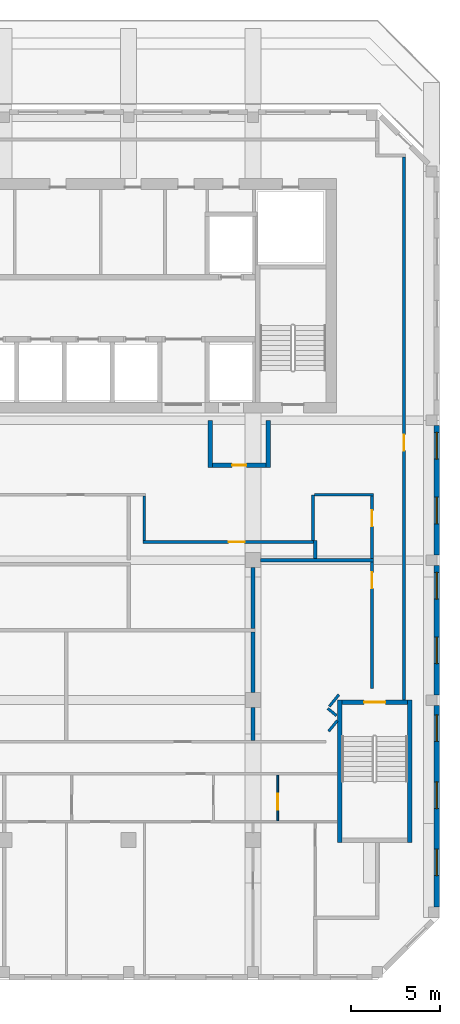
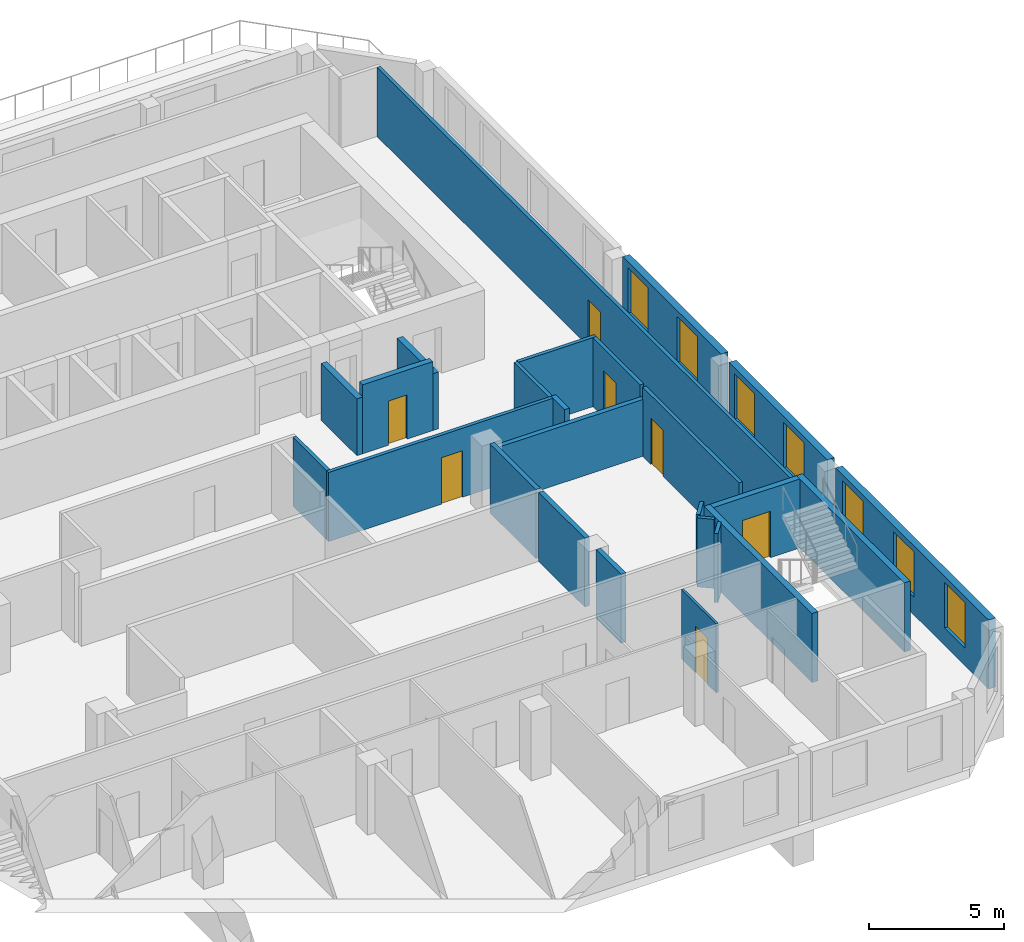
# One storey, part 5 of 12: 25 walls, 7 doors, 7 windows, 14 openings.
"""IFC4 building model written with IfcOpenShell, lengths in metres."""

import ifcopenshell
import ifcopenshell.guid

model = None  # the IFC model being written
_history = None  # IfcOwnerHistory: only IFC2X3 demands one
_inside = {}  # id of a spatial element -> (the spatial element, [elements in it])
_under = {}  # id of a project, library or spatial element -> (it, [spatial elements below it])
_declared = {}  # id of a project -> (the project, [libraries it declares])
_typed = {}  # id of a type object -> (the type object, [elements of that type])
_made_of = {}  # id of a material, layer set ... -> (it, [elements and type objects made of it])


def new_model(schema):
    """Start an empty IFC model of exactly this schema.

    Asked for "IFC4X3", IfcOpenShell would pick the latest addendum, in which some entities
    have other attributes; the version numbers below select the first issue.
    IFC2X3 requires an IfcOwnerHistory on every rooted entity: one is made here for all.
    """
    global model, _history
    if schema == "IFC4X3":
        model = ifcopenshell.file(schema_version=(4, 3, 0, 0))
    else:
        model = ifcopenshell.file(schema=schema)
    _inside.clear()
    _under.clear()
    _declared.clear()
    _typed.clear()
    _made_of.clear()
    _history = None
    if model.schema == "IFC2X3":
        org = make("IfcOrganization", Name="unknown")
        user = make(
            "IfcPersonAndOrganization",
            ThePerson=make("IfcPerson", FamilyName="unknown"),
            TheOrganization=org,
        )
        app = make(
            "IfcApplication",
            ApplicationDeveloper=org,
            Version="unknown",
            ApplicationFullName="unknown",
            ApplicationIdentifier="unknown",
        )
        _history = make(
            "IfcOwnerHistory",
            OwningUser=user,
            OwningApplication=app,
            ChangeAction="ADDED",
            CreationDate=0,
        )
    return model


def make(cls, **values):
    """One entity of the class cls with the attributes given. An attribute that is None is left unset."""
    return model.create_entity(
        cls, **{name: value for name, value in values.items() if value is not None}
    )


def rooted(cls, **values):
    """An entity with a GlobalId (a new one), such as an element, a storey or a relation."""
    return make(cls, GlobalId=ifcopenshell.guid.new(), OwnerHistory=_history, **values)


def si_unit(unit_type, name, prefix=None):
    """IfcSIUnit, for example si_unit("LENGTHUNIT", "METRE", prefix="MILLI")."""
    return make("IfcSIUnit", UnitType=unit_type, Prefix=prefix, Name=name)


def assignment(units):
    """IfcUnitAssignment: the units of a project."""
    return None if units is None else make("IfcUnitAssignment", Units=units)


def point(xyz):
    """IfcCartesianPoint."""
    return None if xyz is None else make("IfcCartesianPoint", Coordinates=xyz)


def direction(xyz):
    """IfcDirection."""
    return None if xyz is None else make("IfcDirection", DirectionRatios=xyz)


def frame(location, z_axis=None, x_axis=None):
    """IfcAxis2Placement3D, a coordinate frame: its origin and axes. An axis left out is left unset."""
    return make(
        "IfcAxis2Placement3D",
        Location=point(location),
        Axis=direction(z_axis),
        RefDirection=direction(x_axis),
    )


def frame_2d(location, x_axis=None):
    """IfcAxis2Placement2D, a coordinate frame in the plane: its origin and x axis."""
    return make(
        "IfcAxis2Placement2D", Location=point(location), RefDirection=direction(x_axis)
    )


def origin():
    """The frame at (0, 0, 0) with its axes left unset."""
    return frame((0.0, 0.0, 0.0))


def place(relative_to, where):
    """IfcLocalPlacement: puts the frame where relative to a parent placement (None: the world)."""
    return make(
        "IfcLocalPlacement", PlacementRelTo=relative_to, RelativePlacement=where
    )


def context(
    kind, dimensions, precision=None, world=None, true_north=None, identifier=None
):
    """IfcGeometricRepresentationContext, for example the 3D "Model" context."""
    return make(
        "IfcGeometricRepresentationContext",
        ContextIdentifier=identifier,
        ContextType=kind,
        CoordinateSpaceDimension=dimensions,
        Precision=precision,
        WorldCoordinateSystem=world,
        TrueNorth=true_north,
    )


def subcontext(parent, identifier, kind, view, scale=None):
    """IfcGeometricRepresentationSubContext, for example "Body" below "Model"."""
    return make(
        "IfcGeometricRepresentationSubContext",
        ContextIdentifier=identifier,
        ContextType=kind,
        ParentContext=parent,
        TargetScale=scale,
        TargetView=view,
    )


def project(units=None, contexts=None):
    """IfcProject with its units and contexts."""
    return rooted(
        "IfcProject",
        Name="project",
        RepresentationContexts=contexts,
        UnitsInContext=assignment(units),
    )


def spatial(cls, under=None, at=None, **own):
    """A site, building, storey or space (cls), placed at a placement, below another one or the project."""
    s = rooted(cls, ObjectPlacement=at, **own)
    if under is not None:
        _under.setdefault(under.id(), (under, []))[1].append(s)
    return s


def profile(cls, at=None, kind="AREA", **sizes):
    """A parametric profile (cls). Its sizes go by their IFC names, for example OverallWidth=200.0."""
    return make(cls, ProfileType=kind, Position=at, **sizes)


def rectangle(**sizes):
    """IfcRectangleProfileDef."""
    return profile("IfcRectangleProfileDef", **sizes)


def extrude(swept, where, along, depth):
    """IfcExtrudedAreaSolid: the profile swept, set in the frame where, extruded along a direction by depth."""
    return make(
        "IfcExtrudedAreaSolid",
        SweptArea=swept,
        Position=where,
        ExtrudedDirection=direction(along),
        Depth=depth,
    )


def shape(context_of_items, identifier, shape_type, items):
    """IfcShapeRepresentation: the items that make up one representation, for example the "Body"."""
    return make(
        "IfcShapeRepresentation",
        ContextOfItems=context_of_items,
        RepresentationIdentifier=identifier,
        RepresentationType=shape_type,
        Items=items,
    )


def source(mapping_origin, context_of_items, identifier, shape_type, items):
    """IfcRepresentationMap: a shape defined once, which mapped items show again and again."""
    return make(
        "IfcRepresentationMap",
        MappingOrigin=mapping_origin,
        MappedRepresentation=shape(context_of_items, identifier, shape_type, items),
    )


def transform(
    local_origin,
    x_axis=None,
    y_axis=None,
    z_axis=None,
    scale=None,
    scale2=None,
    scale3=None,
    uniform=True,
):
    """IfcCartesianTransformationOperator3D, or its non-uniform kind. x_axis, y_axis, z_axis: its Axis1, 2, 3."""
    if uniform:
        return make(
            "IfcCartesianTransformationOperator3D",
            Axis1=direction(x_axis),
            Axis2=direction(y_axis),
            LocalOrigin=point(local_origin),
            Scale=scale,
            Axis3=direction(z_axis),
        )
    return make(
        "IfcCartesianTransformationOperator3DnonUniform",
        Axis1=direction(x_axis),
        Axis2=direction(y_axis),
        LocalOrigin=point(local_origin),
        Scale=scale,
        Axis3=direction(z_axis),
        Scale2=scale2,
        Scale3=scale3,
    )


def mapped(mapping_source, mapping_target):
    """IfcMappedItem: shows the shape of a source again, moved by a transform."""
    return make(
        "IfcMappedItem", MappingSource=mapping_source, MappingTarget=mapping_target
    )


def material(Name=None, Category=None):
    """IfcMaterial."""
    return make("IfcMaterial", Name=Name, Category=Category)


def layer(
    of_material, thickness, ventilated=None, Name=None, Category=None, Priority=None
):
    """IfcMaterialLayer: one layer of a wall or slab, of a material (None: an air gap)."""
    return make(
        "IfcMaterialLayer",
        Material=of_material,
        LayerThickness=thickness,
        IsVentilated=ventilated,
        Name=Name,
        Category=Category,
        Priority=Priority,
    )


def layer_set(layers, Name=None):
    """IfcMaterialLayerSet."""
    return make("IfcMaterialLayerSet", MaterialLayers=layers, LayerSetName=Name)


def made_of(thing, what):
    """Note that an element or type object is made of a material, layer set ...; save() writes the relation."""
    if what is not None:
        _made_of.setdefault(what.id(), (what, []))[1].append(thing)
    return thing


def type_object(cls, material=None, **own):
    """A type object (cls), such as IfcWallType, which elements share."""
    return made_of(rooted(cls, **own), material)


def element(
    cls,
    number,
    at=None,
    inside=None,
    cuts=None,
    type_object=None,
    material=None,
    context=None,
    identifier="Body",
    shape_type=None,
    held_by="IfcProductDefinitionShape",
    body=None,
    shapes=None,
    **own,
):
    """One element of the class cls, such as IfcWall. Its Tag is "e" and its number.

    at: its placement. inside: the storey or other place that contains it. cuts: it is an
    opening in that element (IfcRelVoidsElement). A single representation is given by context,
    identifier, shape_type and body (its items); several are given by shapes. held_by: the class
    of the entity that holds the representations. save() writes the other relations.
    """
    e = rooted(cls, Tag="e%d" % number, ObjectPlacement=at, **own)
    if body is not None:
        shapes = [shape(context, identifier, shape_type, body)]
    if shapes is not None:
        e.Representation = make(held_by, Representations=shapes)
    if inside is not None:
        _inside.setdefault(inside.id(), (inside, []))[1].append(e)
    if cuts is not None:
        rooted(
            "IfcRelVoidsElement", RelatingBuildingElement=cuts, RelatedOpeningElement=e
        )
    if type_object is not None:
        _typed.setdefault(type_object.id(), (type_object, []))[1].append(e)
    return made_of(e, material)


def fill(opening, filler):
    """IfcRelFillsElement: the door or window that sits in an opening."""
    return rooted(
        "IfcRelFillsElement",
        RelatingOpeningElement=opening,
        RelatedBuildingElement=filler,
    )


def aggregate(whole, parts):
    """IfcRelAggregates: a whole, such as a stair, and the parts it consists of."""
    return rooted("IfcRelAggregates", RelatingObject=whole, RelatedObjects=parts)


def save(model, path):
    """Write the relations noted so far, then the file.

    IfcRelAggregates (storeys below a building ...), IfcRelContainedInSpatialStructure (elements
    in a storey), IfcRelDefinesByType, IfcRelAssociatesMaterial and IfcRelDeclares: one each for
    every whole, place, type object, material and project.
    """
    for whole, parts in _under.values():
        aggregate(whole, parts)
    for where, things in _inside.values():
        rooted(
            "IfcRelContainedInSpatialStructure",
            RelatedElements=things,
            RelatingStructure=where,
        )
    for kind, things in _typed.values():
        rooted("IfcRelDefinesByType", RelatedObjects=things, RelatingType=kind)
    for what, things in _made_of.values():
        rooted("IfcRelAssociatesMaterial", RelatedObjects=things, RelatingMaterial=what)
    for by, libraries in _declared.values():
        rooted("IfcRelDeclares", RelatingContext=by, RelatedDefinitions=libraries)
    model.write(path)


model = new_model("IFC4")

# Units and contexts
model_context = context("Model", 3, precision=1e-05, world=origin(), true_north=direction((0.0, 1.0)))
body_context = subcontext(model_context, "Body", "Model", "MODEL_VIEW")
ifc_project = project(units=[si_unit("LENGTHUNIT", "METRE"), si_unit("AREAUNIT", "SQUARE_METRE"), si_unit("VOLUMEUNIT", "CUBIC_METRE"), si_unit("PLANEANGLEUNIT", "RADIAN"), si_unit("MASSUNIT", "GRAM", prefix="KILO")], contexts=[model_context])

# Site, building, storey
site_placement = place(None, origin())
site = spatial("IfcSite", under=ifc_project, at=site_placement, CompositionType="ELEMENT")
building_placement = place(site_placement, origin())
building = spatial("IfcBuilding", under=site, at=building_placement, Name="Kilnfold Tower and Market Hall", CompositionType="ELEMENT")
storey_placement = place(building_placement, frame((0.0, 0.0, 295.0)))
storey = spatial("IfcBuildingStorey", under=building, at=storey_placement, Name="L73", CompositionType="ELEMENT", Elevation=295.0)

# Wall, opening, door
ifc_material_1 = material(Name="Gypsum board on steel studs", Category="steel")
ifc_layer_1 = layer(ifc_material_1, 0.14990234375)
ifc_layer_set_1 = layer_set([ifc_layer_1], Name="Gypsum board on steel studs")
wall_type_1 = type_object("IfcWallType", Name="WALL CORRIDOR 150", PredefinedType="PARTITIONING", material=ifc_layer_set_1)
wall_1_placement = place(storey_placement, frame((21.5, -7.75, 0.0), z_axis=(0.0, 0.0, 1.0), x_axis=(0.0, 1.0, 0.0)))
wall_1 = element("IfcWall", 1, at=wall_1_placement, inside=storey, type_object=wall_type_1, Name="Partition LY45.6", PredefinedType="PARTITIONING", context=body_context, shape_type="SweptSolid", body=[
    extrude(rectangle(XDim=30.574951171875, YDim=0.14990234375, at=frame_2d((15.28759765625, 0.0))), origin(), (0.0, 0.0, 1.0), 3.1201171875),
])
opening_1_placement = place(wall_1_placement, frame((14.034912109375, 0.0, 0.0)))
opening_1 = element("IfcOpeningElement", 2, at=opening_1_placement, cuts=wall_1, Name="Opening D2", PredefinedType="OPENING", context=body_context, shape_type="SweptSolid", body=[
    extrude(rectangle(XDim=0.89990234375, YDim=2.10009765625, at=frame_2d((0.449951171875, 1.050048828125))), frame((0.0, 0.0849609375, 0.0), z_axis=(0.0, -1.0, 0.0), x_axis=(1.0, 0.0, 0.0)), (0.0, 0.0, 1.0), 0.169921875),
])
ifc_material_2 = material(Name="Timber veneer door leaf in steel frame", Category="steel")
door_type_1 = type_object("IfcDoorType", Name="DOOR ROOM 900 X2100", OperationType="NOTDEFINED", PredefinedType="DOOR", material=ifc_material_2)
door_1_placement = place(opening_1_placement, origin())
door_1 = element("IfcDoor", 3, at=door_1_placement, inside=storey, type_object=door_type_1, Name="Door D2", OperationType="SINGLE_SWING_LEFT", OverallHeight=2.10009765625, OverallWidth=0.89990234375, PredefinedType="DOOR", context=body_context, shape_type="SweptSolid", body=[
    extrude(rectangle(XDim=0.89990234375, YDim=2.10009765625, at=frame_2d((0.449951171875, 1.050048828125))), frame((0.0, 0.02490234375, 0.0), z_axis=(0.0, -1.0, 0.0), x_axis=(1.0, 0.0, 0.0)), (0.0, 0.0, 1.0), 0.050048828125),
])
fill(opening_1, door_1)

# Wall
wall_2_placement = place(storey_placement, frame((16.3798828125, 1.22509765625, 0.0), z_axis=(0.0, 0.0, 1.0), x_axis=(0.0, 1.0, 0.0)))
element("IfcWall", 4, at=wall_2_placement, inside=storey, type_object=wall_type_1, Name="Partition LY45.14", PredefinedType="PARTITIONING", context=body_context, shape_type="SweptSolid", body=[
    extrude(rectangle(XDim=2.574951171875, YDim=0.14990234375, at=frame_2d((1.28759765625, 0.0))), origin(), (0.0, 0.0, 1.0), 3.1201171875),
])

# Wall, opening, door
wall_3_placement = place(storey_placement, frame((6.804931640625, 1.14990234375, 0.0), z_axis=(0.0, 0.0, 1.0), x_axis=(1.0, 0.0, 0.0)))
wall_3 = element("IfcWall", 5, at=wall_3_placement, inside=storey, type_object=wall_type_1, Name="Partition LY45.15", PredefinedType="PARTITIONING", context=body_context, shape_type="SweptSolid", body=[
    extrude(rectangle(XDim=9.594970703125, YDim=0.14990234375, at=frame_2d((4.79736328125, 0.0))), origin(), (0.0, 0.0, 1.0), 3.1201171875),
])
opening_2_placement = place(wall_3_placement, frame((4.827880859375, 0.0, 0.0)))
opening_2 = element("IfcOpeningElement", 6, at=opening_2_placement, cuts=wall_3, Name="Opening D2", PredefinedType="OPENING", context=body_context, shape_type="SweptSolid", body=[
    extrude(rectangle(XDim=0.89990234375, YDim=2.10009765625, at=frame_2d((0.449951171875, 1.050048828125))), frame((0.0, 0.0849609375, 0.0), z_axis=(0.0, -1.0, 0.0), x_axis=(1.0, 0.0, 0.0)), (0.0, 0.0, 1.0), 0.169921875),
])
door_2_placement = place(opening_2_placement, origin())
door_2 = element("IfcDoor", 7, at=door_2_placement, inside=storey, type_object=door_type_1, Name="Door D2", OperationType="SINGLE_SWING_LEFT", OverallHeight=2.10009765625, OverallWidth=0.89990234375, PredefinedType="DOOR", context=body_context, shape_type="SweptSolid", body=[
    extrude(rectangle(XDim=0.89990234375, YDim=2.10009765625, at=frame_2d((0.449951171875, 1.050048828125))), frame((0.0, 0.02490234375, 0.0), z_axis=(0.0, -1.0, 0.0), x_axis=(1.0, 0.0, 0.0)), (0.0, 0.0, 1.0), 0.050048828125),
])
fill(opening_2, door_2)

# Walls
wall_4_placement = place(storey_placement, frame((6.8798828125, 3.72509765625, 0.0), z_axis=(0.0, 0.0, 1.0), x_axis=(0.0, -1.0, 0.0)))
element("IfcWall", 8, at=wall_4_placement, inside=storey, type_object=wall_type_1, Name="Partition LY45.16", PredefinedType="PARTITIONING", context=body_context, shape_type="SweptSolid", body=[
    extrude(rectangle(XDim=2.5, YDim=0.14990234375, at=frame_2d((1.25, 0.0))), origin(), (0.0, 0.0, 1.0), 3.1201171875),
])
wall_5_placement = place(storey_placement, frame((17.748046875, -8.902099609375, 0.0), z_axis=(0.0, 0.0, 1.0), x_axis=(-0.630342797145, -0.776316918589, 0.0)))
element("IfcWall", 9, at=wall_5_placement, inside=storey, type_object=wall_type_1, Name="Partition LY45.17", PredefinedType="PARTITIONING", context=body_context, shape_type="SweptSolid", body=[
    extrude(rectangle(XDim=0.772705078125, YDim=0.14990234375, at=frame_2d((0.38623046875, 0.0))), origin(), (0.0, 0.0, 1.0), 3.1201171875),
])
wall_6_placement = place(storey_placement, frame((17.2060546875, -8.218017578125, 0.0), z_axis=(0.0, 0.0, 1.0), x_axis=(0.776102288291, -0.630607039376, 0.0)))
element("IfcWall", 10, at=wall_6_placement, inside=storey, type_object=wall_type_1, Name="Partition LY45.18", PredefinedType="PARTITIONING", context=body_context, shape_type="SweptSolid", body=[
    extrude(rectangle(XDim=0.6376953125, YDim=0.14990234375, at=frame_2d((0.31884765625, 0.0))), origin(), (0.0, 0.0, 1.0), 3.1201171875),
])
wall_7_placement = place(storey_placement, frame((17.8349609375, -7.44189453125, 0.0), z_axis=(0.0, 0.0, 1.0), x_axis=(-0.628859024249, -0.777519342281, 0.0)))
element("IfcWall", 11, at=wall_7_placement, inside=storey, type_object=wall_type_1, Name="Partition LY45.19", PredefinedType="PARTITIONING", context=body_context, shape_type="SweptSolid", body=[
    extrude(rectangle(XDim=0.84912109375, YDim=0.14990234375, at=frame_2d((0.424560546875, 0.0))), origin(), (0.0, 0.0, 1.0), 3.1201171875),
])

# Wall, opening, door
wall_8_placement = place(storey_placement, frame((19.699951171875, -7.10009765625, 0.0), z_axis=(0.0, 0.0, 1.0), x_axis=(0.0, 1.0, 0.0)))
wall_8 = element("IfcWall", 12, at=wall_8_placement, inside=storey, type_object=wall_type_1, Name="Partition LY45.20", PredefinedType="PARTITIONING", context=body_context, shape_type="SweptSolid", body=[
    extrude(rectangle(XDim=7.135009765625, YDim=0.14990234375, at=frame_2d((3.5673828125, 0.0))), origin(), (0.0, 0.0, 1.0), 3.1201171875),
])
opening_3_placement = place(wall_8_placement, frame((5.633056640625, 0.0, 0.0)))
opening_3 = element("IfcOpeningElement", 13, at=opening_3_placement, cuts=wall_8, Name="Opening D2", PredefinedType="OPENING", context=body_context, shape_type="SweptSolid", body=[
    extrude(rectangle(XDim=0.89990234375, YDim=2.10009765625, at=frame_2d((0.449951171875, 1.050048828125))), frame((0.0, 0.0849609375, 0.0), z_axis=(0.0, -1.0, 0.0), x_axis=(1.0, 0.0, 0.0)), (0.0, 0.0, 1.0), 0.169921875),
])
door_3_placement = place(opening_3_placement, origin())
door_3 = element("IfcDoor", 14, at=door_3_placement, inside=storey, type_object=door_type_1, Name="Door D2", OperationType="SINGLE_SWING_LEFT", OverallHeight=2.10009765625, OverallWidth=0.89990234375, PredefinedType="DOOR", context=body_context, shape_type="SweptSolid", body=[
    extrude(rectangle(XDim=0.89990234375, YDim=2.10009765625, at=frame_2d((0.449951171875, 1.050048828125))), frame((0.0, 0.02490234375, 0.0), z_axis=(0.0, -1.0, 0.0), x_axis=(1.0, 0.0, 0.0)), (0.0, 0.0, 1.0), 0.050048828125),
])
fill(opening_3, door_3)

wall_9_placement = place(storey_placement, frame((19.699951171875, 0.215087890625, 0.0), z_axis=(0.0, 0.0, 1.0), x_axis=(0.0, 1.0, 0.0)))
wall_9 = element("IfcWall", 15, at=wall_9_placement, inside=storey, type_object=wall_type_1, Name="Partition LY45.21", PredefinedType="PARTITIONING", context=body_context, shape_type="SweptSolid", body=[
    extrude(rectangle(XDim=3.510009765625, YDim=0.14990234375, at=frame_2d((1.7548828125, 0.0))), origin(), (0.0, 0.0, 1.0), 3.1201171875),
])
opening_4_placement = place(wall_9_placement, frame((1.806884765625, 0.0, 0.0)))
opening_4 = element("IfcOpeningElement", 16, at=opening_4_placement, cuts=wall_9, Name="Opening D2", PredefinedType="OPENING", context=body_context, shape_type="SweptSolid", body=[
    extrude(rectangle(XDim=0.89990234375, YDim=2.10009765625, at=frame_2d((0.449951171875, 1.050048828125))), frame((0.0, 0.0849609375, 0.0), z_axis=(0.0, -1.0, 0.0), x_axis=(1.0, 0.0, 0.0)), (0.0, 0.0, 1.0), 0.169921875),
])
door_4_placement = place(opening_4_placement, origin())
door_4 = element("IfcDoor", 17, at=door_4_placement, inside=storey, type_object=door_type_1, Name="Door D2", OperationType="SINGLE_SWING_LEFT", OverallHeight=2.10009765625, OverallWidth=0.89990234375, PredefinedType="DOOR", context=body_context, shape_type="SweptSolid", body=[
    extrude(rectangle(XDim=0.89990234375, YDim=2.10009765625, at=frame_2d((0.449951171875, 1.050048828125))), frame((0.0, 0.02490234375, 0.0), z_axis=(0.0, -1.0, 0.0), x_axis=(1.0, 0.0, 0.0)), (0.0, 0.0, 1.0), 0.050048828125),
])
fill(opening_4, door_4)

# Wall
wall_10_placement = place(storey_placement, frame((16.455078125, 3.800048828125, 0.0), z_axis=(0.0, 0.0, 1.0), x_axis=(1.0, 0.0, 0.0)))
element("IfcWall", 18, at=wall_10_placement, inside=storey, type_object=wall_type_1, Name="Partition LY45.22", PredefinedType="PARTITIONING", context=body_context, shape_type="SweptSolid", body=[
    extrude(rectangle(XDim=3.31982421875, YDim=0.14990234375, at=frame_2d((1.659912109375, 0.0))), origin(), (0.0, 0.0, 1.0), 3.1201171875),
])

# Wall, opening, door
ifc_material_3 = material(Name="Gypsum board on steel studs", Category="steel")
ifc_layer_2 = layer(ifc_material_3, 0.10009765625)
ifc_layer_set_2 = layer_set([ifc_layer_2], Name="Gypsum board on steel studs")
wall_type_2 = type_object("IfcWallType", Name="WALL PARTITION 100", PredefinedType="PARTITIONING", material=ifc_layer_set_2)
wall_11_placement = place(storey_placement, frame((14.389892578125, -14.550048828125, 0.0), z_axis=(0.0, 0.0, 1.0), x_axis=(0.0, 1.0, 0.0)))
wall_11 = element("IfcWall", 19, at=wall_11_placement, inside=storey, type_object=wall_type_2, Name="Partition LY45.51", PredefinedType="PARTITIONING", context=body_context, shape_type="SweptSolid", body=[
    extrude(rectangle(XDim=2.572998046875, YDim=0.10009765625, at=frame_2d((1.28662109375, 0.0))), origin(), (0.0, 0.0, 1.0), 3.1201171875),
])
opening_5_placement = place(wall_11_placement, frame((0.6240234375, 0.0, 0.0)))
opening_5 = element("IfcOpeningElement", 20, at=opening_5_placement, cuts=wall_11, Name="Opening D2", PredefinedType="OPENING", context=body_context, shape_type="SweptSolid", body=[
    extrude(rectangle(XDim=0.89990234375, YDim=2.10009765625, at=frame_2d((0.449951171875, 1.050048828125))), frame((0.0, 0.06005859375, 0.0), z_axis=(0.0, -1.0, 0.0), x_axis=(1.0, 0.0, 0.0)), (0.0, 0.0, 1.0), 0.1201171875),
])
door_5_placement = place(opening_5_placement, origin())
door_5 = element("IfcDoor", 21, at=door_5_placement, inside=storey, type_object=door_type_1, Name="Door D2", OperationType="SINGLE_SWING_LEFT", OverallHeight=2.10009765625, OverallWidth=0.89990234375, PredefinedType="DOOR", context=body_context, shape_type="SweptSolid", body=[
    extrude(rectangle(XDim=0.89990234375, YDim=2.10009765625, at=frame_2d((0.449951171875, 1.050048828125))), frame((0.0, 0.02490234375, 0.0), z_axis=(0.0, -1.0, 0.0), x_axis=(1.0, 0.0, 0.0)), (0.0, 0.0, 1.0), 0.050048828125),
])
fill(opening_5, door_5)

# Walls
ifc_material_4 = material(Name="Gypsum board on steel studs", Category="steel")
ifc_layer_3 = layer(ifc_material_4, 0.199951171875)
ifc_layer_set_3 = layer_set([ifc_layer_3], Name="Gypsum board on steel studs")
wall_type_3 = type_object("IfcWallType", Name="WALL PARTY 200", PredefinedType="PARTITIONING", material=ifc_layer_set_3)
wall_12_placement = place(storey_placement, frame((13.0, -7.324951171875, 0.0), z_axis=(0.0, 0.0, 1.0), x_axis=(0.0, 1.0, 0.0)))
element("IfcWall", 22, at=wall_12_placement, inside=storey, type_object=wall_type_3, Name="Partition LY45.71", PredefinedType="PARTITIONING", context=body_context, shape_type="SweptSolid", body=[
    extrude(rectangle(XDim=3.412841796875, YDim=0.199951171875, at=frame_2d((1.70654296875, 0.0))), origin(), (0.0, 0.0, 1.0), 3.1201171875),
])
wall_13_placement = place(storey_placement, frame((13.0, -10.02294921875, 0.0), z_axis=(0.0, 0.0, 1.0), x_axis=(0.0, 1.0, 0.0)))
element("IfcWall", 23, at=wall_13_placement, inside=storey, type_object=wall_type_3, Name="Partition LY45.72", PredefinedType="PARTITIONING", context=body_context, shape_type="SweptSolid", body=[
    extrude(rectangle(XDim=1.847900390625, YDim=0.199951171875, at=frame_2d((0.923828125, 0.0))), origin(), (0.0, 0.0, 1.0), 3.1201171875),
])
wall_14_placement = place(storey_placement, frame((13.425048828125, 0.125, 0.0), z_axis=(0.0, 0.0, 1.0), x_axis=(1.0, 0.0, 0.0)))
element("IfcWall", 24, at=wall_14_placement, inside=storey, type_object=wall_type_3, Name="Partition LY45.73", PredefinedType="PARTITIONING", context=body_context, shape_type="SweptSolid", body=[
    extrude(rectangle(XDim=6.347900390625, YDim=0.199951171875, at=frame_2d((3.173828125, 0.0))), origin(), (0.0, 0.0, 1.0), 2.570068359375),
])
wall_15_placement = place(storey_placement, frame((13.0, -3.7119140625, 0.0), z_axis=(0.0, 0.0, 1.0), x_axis=(0.0, 1.0, 0.0)))
element("IfcWall", 25, at=wall_15_placement, inside=storey, type_object=wall_type_3, Name="Partition LY45.74", PredefinedType="PARTITIONING", context=body_context, shape_type="SweptSolid", body=[
    extrude(rectangle(XDim=3.411865234375, YDim=0.199951171875, at=frame_2d((1.7060546875, 0.0))), origin(), (0.0, 0.0, 1.0), 3.1201171875),
])
wall_16_placement = place(storey_placement, frame((16.5, 0.22509765625, 0.0), z_axis=(0.0, 0.0, 1.0), x_axis=(0.0, 1.0, 0.0)))
element("IfcWall", 26, at=wall_16_placement, inside=storey, type_object=wall_type_3, Name="Partition LY45.75", PredefinedType="PARTITIONING", context=body_context, shape_type="SweptSolid", body=[
    extrude(rectangle(XDim=1.0, YDim=0.199951171875, at=frame_2d((0.5, 0.0))), origin(), (0.0, 0.0, 1.0), 3.1201171875),
])

# Wall, opening, door
ifc_material_5 = material(Name="Concrete C50", Category="concrete")
ifc_layer_4 = layer(ifc_material_5, 0.25)
ifc_layer_set_4 = layer_set([ifc_layer_4], Name="Concrete C50")
wall_type_4 = type_object("IfcWallType", Name="CORE WALL 250 C50", PredefinedType="SHEAR", material=ifc_layer_set_4)
shared_shape_1 = source(origin(), body_context, "Body", "SweptSolid", [
    extrude(rectangle(XDim=3.699951171875, YDim=0.25, at=frame_2d((1.85009765625, 0.0))), origin(), (0.0, 0.0, 1.0), 3.1201171875),
])
wall_17_placement = place(storey_placement, frame((18.0, -7.875, 0.0), z_axis=(0.0, 0.0, 1.0), x_axis=(1.0, 0.0, 0.0)))
wall_17 = element("IfcWall", 27, at=wall_17_placement, inside=storey, type_object=wall_type_4, Name="Stair enclosure ST4", PredefinedType="SHEAR", context=body_context, shape_type="MappedRepresentation", body=[
    mapped(shared_shape_1, transform((0.0, 0.0, 0.0))),
])
opening_6_placement = place(wall_17_placement, frame((1.25, 0.0, 0.0)))
opening_6 = element("IfcOpeningElement", 28, at=opening_6_placement, cuts=wall_17, Name="Opening SD1", PredefinedType="OPENING", context=body_context, shape_type="SweptSolid", body=[
    extrude(rectangle(XDim=1.199951171875, YDim=2.10009765625, at=frame_2d((0.60009765625, 1.050048828125))), frame((0.0, 0.135009765625, 0.0), z_axis=(0.0, -1.0, 0.0), x_axis=(1.0, 0.0, 0.0)), (0.0, 0.0, 1.0), 0.27001953125),
])
ifc_material_6 = material(Name="Steel door set with fire-resisting leaf", Category="steel")
door_type_2 = type_object("IfcDoorType", Name="STAIR FLOOR DOOR 1200X2100", OperationType="NOTDEFINED", PredefinedType="DOOR", material=ifc_material_6)
door_6_placement = place(opening_6_placement, origin())
door_6 = element("IfcDoor", 29, at=door_6_placement, inside=storey, type_object=door_type_2, Name="Exit stair ST4 door", OperationType="DOUBLE_DOOR_SINGLE_SWING", OverallHeight=2.10009765625, OverallWidth=1.199951171875, PredefinedType="DOOR", context=body_context, shape_type="SweptSolid", body=[
    extrude(rectangle(XDim=1.199951171875, YDim=2.10009765625, at=frame_2d((0.60009765625, 1.050048828125))), frame((0.0, 0.02490234375, 0.0), z_axis=(0.0, -1.0, 0.0), x_axis=(1.0, 0.0, 0.0)), (0.0, 0.0, 1.0), 0.050048828125),
])
fill(opening_6, door_6)

# Walls
shared_shape_2 = source(origin(), body_context, "Body", "SweptSolid", [
    extrude(rectangle(XDim=8.0, YDim=0.25, at=frame_2d((4.0, 0.0))), origin(), (0.0, 0.0, 1.0), 3.1201171875),
])
for number, where, z_axis, x_axis, name in (
    (30, (17.875, -15.75, 0.0), (0.0, 0.0, 1.0), (0.0, 1.0, 0.0), "Stair enclosure ST4"),
    (31, (21.824951171875, -15.75, 0.0), (0.0, 0.0, 1.0), (0.0, 1.0, 0.0), "Stair enclosure ST4"),
):
    element("IfcWall", number, at=place(storey_placement, frame(where, z_axis=z_axis, x_axis=x_axis)), inside=storey, type_object=wall_type_4, Name=name, PredefinedType="SHEAR", context=body_context, shape_type="MappedRepresentation", body=[
        mapped(shared_shape_2, transform((0.0, 0.0, 0.0))),
    ])

# Wall, openings, windows
ifc_material_7 = material(Name="Precast concrete C50/60", Category="concrete")
ifc_layer_5 = layer(ifc_material_7, 0.300048828125)
ifc_layer_set_5 = layer_set([ifc_layer_5], Name="Precast concrete C50/60")
wall_type_5 = type_object("IfcWallType", Name="PRECAST WALL 300", PredefinedType="SOLIDWALL", material=ifc_layer_set_5)
shared_shape_3 = source(origin(), body_context, "Body", "SweptSolid", [
    extrude(rectangle(XDim=11.331787109375, YDim=0.300048828125, at=frame_2d((5.666015625, 0.0))), origin(), (0.0, 0.0, 1.0), 3.1201171875),
])
wall_18_placement = place(storey_placement, frame((23.35009765625, -19.3818359375, 0.0), z_axis=(0.0, 0.0, 1.0), x_axis=(0.0, 1.0, 0.0)))
wall_18 = element("IfcWall", 32, at=wall_18_placement, inside=storey, type_object=wall_type_5, Name="External wall L73 E", PredefinedType="SOLIDWALL", context=body_context, shape_type="MappedRepresentation", body=[
    mapped(shared_shape_3, transform((0.0, 0.0, 0.0))),
])
opening_7_placement = place(wall_18_placement, frame((1.75, 0.0, 0.800048828125)))
opening_7 = element("IfcOpeningElement", 33, at=opening_7_placement, cuts=wall_18, Name="Opening W5", PredefinedType="OPENING", context=body_context, shape_type="SweptSolid", body=[
    extrude(rectangle(XDim=1.5, YDim=2.050048828125, at=frame_2d((0.75, 1.02490234375))), frame((0.0, 0.16015625, 0.0), z_axis=(0.0, -1.0, 0.0), x_axis=(1.0, 0.0, 0.0)), (0.0, 0.0, 1.0), 0.320068359375),
])
opening_8_placement = place(wall_18_placement, frame((5.52734375, 0.0, 0.800048828125)))
opening_8 = element("IfcOpeningElement", 34, at=opening_8_placement, cuts=wall_18, Name="Opening W5", PredefinedType="OPENING", context=body_context, shape_type="SweptSolid", body=[
    extrude(rectangle(XDim=1.5, YDim=2.050048828125, at=frame_2d((0.75, 1.02490234375))), frame((0.0, 0.16015625, 0.0), z_axis=(0.0, -1.0, 0.0), x_axis=(1.0, 0.0, 0.0)), (0.0, 0.0, 1.0), 0.320068359375),
])
opening_9_placement = place(wall_18_placement, frame((9.304443359375, 0.0, 0.800048828125)))
opening_9 = element("IfcOpeningElement", 35, at=opening_9_placement, cuts=wall_18, Name="Opening W5", PredefinedType="OPENING", context=body_context, shape_type="SweptSolid", body=[
    extrude(rectangle(XDim=1.5, YDim=2.050048828125, at=frame_2d((0.75, 1.02490234375))), frame((0.0, 0.16015625, 0.0), z_axis=(0.0, -1.0, 0.0), x_axis=(1.0, 0.0, 0.0)), (0.0, 0.0, 1.0), 0.320068359375),
])
ifc_material_8 = material(Name="Aluminium frame and double glazing", Category="aluminium")
window_type = type_object("IfcWindowType", Name="WINDOW W5 1500X2050", PartitioningType="SINGLE_PANEL", PredefinedType="WINDOW", material=ifc_material_8)
window_1_placement = place(opening_7_placement, origin())
window_1 = element("IfcWindow", 36, at=window_1_placement, inside=storey, type_object=window_type, Name="Window W5 L73 E-1", OverallHeight=2.050048828125, OverallWidth=1.5, PartitioningType="SINGLE_PANEL", PredefinedType="WINDOW", context=body_context, shape_type="SweptSolid", body=[
    extrude(rectangle(XDim=1.5, YDim=2.050048828125, at=frame_2d((0.75, 1.02490234375))), frame((0.0, 0.030029296875, 0.0), z_axis=(0.0, -1.0, 0.0), x_axis=(1.0, 0.0, 0.0)), (0.0, 0.0, 1.0), 0.06005859375),
])
fill(opening_7, window_1)
window_2_placement = place(opening_8_placement, origin())
window_2 = element("IfcWindow", 37, at=window_2_placement, inside=storey, type_object=window_type, Name="Window W5 L73 E-2", OverallHeight=2.050048828125, OverallWidth=1.5, PartitioningType="SINGLE_PANEL", PredefinedType="WINDOW", context=body_context, shape_type="SweptSolid", body=[
    extrude(rectangle(XDim=1.5, YDim=2.050048828125, at=frame_2d((0.75, 1.02490234375))), frame((0.0, 0.030029296875, 0.0), z_axis=(0.0, -1.0, 0.0), x_axis=(1.0, 0.0, 0.0)), (0.0, 0.0, 1.0), 0.06005859375),
])
fill(opening_8, window_2)
window_3_placement = place(opening_9_placement, origin())
window_3 = element("IfcWindow", 38, at=window_3_placement, inside=storey, type_object=window_type, Name="Window W5 L73 E-3", OverallHeight=2.050048828125, OverallWidth=1.5, PartitioningType="SINGLE_PANEL", PredefinedType="WINDOW", context=body_context, shape_type="SweptSolid", body=[
    extrude(rectangle(XDim=1.5, YDim=2.050048828125, at=frame_2d((0.75, 1.02490234375))), frame((0.0, 0.030029296875, 0.0), z_axis=(0.0, -1.0, 0.0), x_axis=(1.0, 0.0, 0.0)), (0.0, 0.0, 1.0), 0.06005859375),
])
fill(opening_9, window_3)

shared_shape_4 = source(origin(), body_context, "Body", "SweptSolid", [
    extrude(rectangle(XDim=7.27490234375, YDim=0.300048828125, at=frame_2d((3.637451171875, 0.0))), origin(), (0.0, 0.0, 1.0), 3.1201171875),
])
wall_19_placement = place(storey_placement, frame((23.35009765625, -7.449951171875, 0.0), z_axis=(0.0, 0.0, 1.0), x_axis=(0.0, 1.0, 0.0)))
wall_19 = element("IfcWall", 39, at=wall_19_placement, inside=storey, type_object=wall_type_5, Name="External wall L73 E", PredefinedType="SOLIDWALL", context=body_context, shape_type="MappedRepresentation", body=[
    mapped(shared_shape_4, transform((0.0, 0.0, 0.0))),
])
opening_10_placement = place(wall_19_placement, frame((1.75, 0.0, 0.800048828125)))
opening_10 = element("IfcOpeningElement", 40, at=opening_10_placement, cuts=wall_19, Name="Opening W5", PredefinedType="OPENING", context=body_context, shape_type="SweptSolid", body=[
    extrude(rectangle(XDim=1.5, YDim=2.050048828125, at=frame_2d((0.75, 1.02490234375))), frame((0.0, 0.16015625, 0.0), z_axis=(0.0, -1.0, 0.0), x_axis=(1.0, 0.0, 0.0)), (0.0, 0.0, 1.0), 0.320068359375),
])
opening_11_placement = place(wall_19_placement, frame((5.387451171875, 0.0, 0.800048828125)))
opening_11 = element("IfcOpeningElement", 41, at=opening_11_placement, cuts=wall_19, Name="Opening W5", PredefinedType="OPENING", context=body_context, shape_type="SweptSolid", body=[
    extrude(rectangle(XDim=1.5, YDim=2.050048828125, at=frame_2d((0.75, 1.02490234375))), frame((0.0, 0.16015625, 0.0), z_axis=(0.0, -1.0, 0.0), x_axis=(1.0, 0.0, 0.0)), (0.0, 0.0, 1.0), 0.320068359375),
])
window_4_placement = place(opening_10_placement, origin())
window_4 = element("IfcWindow", 42, at=window_4_placement, inside=storey, type_object=window_type, Name="Window W5 L73 E-1", OverallHeight=2.050048828125, OverallWidth=1.5, PartitioningType="SINGLE_PANEL", PredefinedType="WINDOW", context=body_context, shape_type="SweptSolid", body=[
    extrude(rectangle(XDim=1.5, YDim=2.050048828125, at=frame_2d((0.75, 1.02490234375))), frame((0.0, 0.030029296875, 0.0), z_axis=(0.0, -1.0, 0.0), x_axis=(1.0, 0.0, 0.0)), (0.0, 0.0, 1.0), 0.06005859375),
])
fill(opening_10, window_4)
window_5_placement = place(opening_11_placement, origin())
window_5 = element("IfcWindow", 43, at=window_5_placement, inside=storey, type_object=window_type, Name="Window W5 L73 E-2", OverallHeight=2.050048828125, OverallWidth=1.5, PartitioningType="SINGLE_PANEL", PredefinedType="WINDOW", context=body_context, shape_type="SweptSolid", body=[
    extrude(rectangle(XDim=1.5, YDim=2.050048828125, at=frame_2d((0.75, 1.02490234375))), frame((0.0, 0.030029296875, 0.0), z_axis=(0.0, -1.0, 0.0), x_axis=(1.0, 0.0, 0.0)), (0.0, 0.0, 1.0), 0.06005859375),
])
fill(opening_11, window_5)

wall_20_placement = place(storey_placement, frame((23.35009765625, 0.425048828125, 0.0), z_axis=(0.0, 0.0, 1.0), x_axis=(0.0, 1.0, 0.0)))
wall_20 = element("IfcWall", 44, at=wall_20_placement, inside=storey, type_object=wall_type_5, Name="External wall L73 E", PredefinedType="SOLIDWALL", context=body_context, shape_type="MappedRepresentation", body=[
    mapped(shared_shape_4, transform((0.0, 0.0, 0.0))),
])
opening_12_placement = place(wall_20_placement, frame((1.75, 0.0, 0.800048828125)))
opening_12 = element("IfcOpeningElement", 45, at=opening_12_placement, cuts=wall_20, Name="Opening W5", PredefinedType="OPENING", context=body_context, shape_type="SweptSolid", body=[
    extrude(rectangle(XDim=1.5, YDim=2.050048828125, at=frame_2d((0.75, 1.02490234375))), frame((0.0, 0.16015625, 0.0), z_axis=(0.0, -1.0, 0.0), x_axis=(1.0, 0.0, 0.0)), (0.0, 0.0, 1.0), 0.320068359375),
])
opening_13_placement = place(wall_20_placement, frame((5.387451171875, 0.0, 0.800048828125)))
opening_13 = element("IfcOpeningElement", 46, at=opening_13_placement, cuts=wall_20, Name="Opening W5", PredefinedType="OPENING", context=body_context, shape_type="SweptSolid", body=[
    extrude(rectangle(XDim=1.5, YDim=2.050048828125, at=frame_2d((0.75, 1.02490234375))), frame((0.0, 0.16015625, 0.0), z_axis=(0.0, -1.0, 0.0), x_axis=(1.0, 0.0, 0.0)), (0.0, 0.0, 1.0), 0.320068359375),
])
window_6_placement = place(opening_12_placement, origin())
window_6 = element("IfcWindow", 47, at=window_6_placement, inside=storey, type_object=window_type, Name="Window W5 L73 E-1", OverallHeight=2.050048828125, OverallWidth=1.5, PartitioningType="SINGLE_PANEL", PredefinedType="WINDOW", context=body_context, shape_type="SweptSolid", body=[
    extrude(rectangle(XDim=1.5, YDim=2.050048828125, at=frame_2d((0.75, 1.02490234375))), frame((0.0, 0.030029296875, 0.0), z_axis=(0.0, -1.0, 0.0), x_axis=(1.0, 0.0, 0.0)), (0.0, 0.0, 1.0), 0.06005859375),
])
fill(opening_12, window_6)
window_7_placement = place(opening_13_placement, origin())
window_7 = element("IfcWindow", 48, at=window_7_placement, inside=storey, type_object=window_type, Name="Window W5 L73 E-2", OverallHeight=2.050048828125, OverallWidth=1.5, PartitioningType="SINGLE_PANEL", PredefinedType="WINDOW", context=body_context, shape_type="SweptSolid", body=[
    extrude(rectangle(XDim=1.5, YDim=2.050048828125, at=frame_2d((0.75, 1.02490234375))), frame((0.0, 0.030029296875, 0.0), z_axis=(0.0, -1.0, 0.0), x_axis=(1.0, 0.0, 0.0)), (0.0, 0.0, 1.0), 0.06005859375),
])
fill(opening_13, window_7)

# Wall, opening, door
ifc_material_9 = material(Name="Gypsum shaft wall system")
ifc_layer_6 = layer(ifc_material_9, 0.25)
ifc_layer_set_6 = layer_set([ifc_layer_6], Name="Gypsum shaft wall system")
wall_type_6 = type_object("IfcWallType", Name="LOBBY WALL 250", PredefinedType="PARTITIONING", material=ifc_layer_set_6)
shared_shape_5 = source(origin(), body_context, "Body", "SweptSolid", [
    extrude(rectangle(XDim=3.0, YDim=0.25, at=frame_2d((1.5, 0.0))), origin(), (0.0, 0.0, 1.0), 3.1201171875),
])
wall_21_placement = place(storey_placement, frame((10.72998046875, 5.47509765625, 0.0), z_axis=(0.0, 0.0, 1.0), x_axis=(1.0, 0.0, 0.0)))
wall_21 = element("IfcWall", 49, at=wall_21_placement, inside=storey, type_object=wall_type_6, Name="Firefighting lobby wall", PredefinedType="PARTITIONING", context=body_context, shape_type="MappedRepresentation", body=[
    mapped(shared_shape_5, transform((0.0, 0.0, 0.0))),
])
opening_14_placement = place(wall_21_placement, frame((1.10009765625, 0.0, 0.0)))
opening_14 = element("IfcOpeningElement", 50, at=opening_14_placement, cuts=wall_21, Name="Opening VD1", PredefinedType="OPENING", context=body_context, shape_type="SweptSolid", body=[
    extrude(rectangle(XDim=0.800048828125, YDim=2.0, at=frame_2d((0.39990234375, 1.0))), frame((0.0, 0.135009765625, 0.0), z_axis=(0.0, -1.0, 0.0), x_axis=(1.0, 0.0, 0.0)), (0.0, 0.0, 1.0), 0.27001953125),
])
ifc_material_10 = material(Name="Steel door set with fire-resisting leaf", Category="steel")
door_type_3 = type_object("IfcDoorType", Name="FIREFIGHTING LOBBY DOOR 800X2000", OperationType="NOTDEFINED", PredefinedType="DOOR", material=ifc_material_10)
door_7_placement = place(opening_14_placement, origin())
door_7 = element("IfcDoor", 51, at=door_7_placement, inside=storey, type_object=door_type_3, Name="Firefighting lobby door", OperationType="SINGLE_SWING_RIGHT", OverallHeight=2.0, OverallWidth=0.800048828125, PredefinedType="DOOR", context=body_context, shape_type="SweptSolid", body=[
    extrude(rectangle(XDim=0.800048828125, YDim=2.0, at=frame_2d((0.39990234375, 1.0))), frame((0.0, 0.02490234375, 0.0), z_axis=(0.0, -1.0, 0.0), x_axis=(1.0, 0.0, 0.0)), (0.0, 0.0, 1.0), 0.050048828125),
])
fill(opening_14, door_7)

# Walls
shared_shape_6 = source(origin(), body_context, "Body", "SweptSolid", [
    extrude(rectangle(XDim=2.64990234375, YDim=0.25, at=frame_2d((1.324951171875, 0.0))), origin(), (0.0, 0.0, 1.0), 2.570068359375),
])
for number, where, z_axis, x_axis, name in (
    (52, (10.60498046875, 5.35009765625, 0.0), (0.0, 0.0, 1.0), (0.0, 1.0, 0.0), "Firefighting lobby wall"),
    (53, (13.85498046875, 5.35009765625, 0.0), (0.0, 0.0, 1.0), (0.0, 1.0, 0.0), "Firefighting lobby wall"),
):
    element("IfcWall", number, at=place(storey_placement, frame(where, z_axis=z_axis, x_axis=x_axis)), inside=storey, type_object=wall_type_6, Name=name, PredefinedType="PARTITIONING", context=body_context, shape_type="MappedRepresentation", body=[
        mapped(shared_shape_6, transform((0.0, 0.0, 0.0))),
    ])

save(model, "model.ifc")
